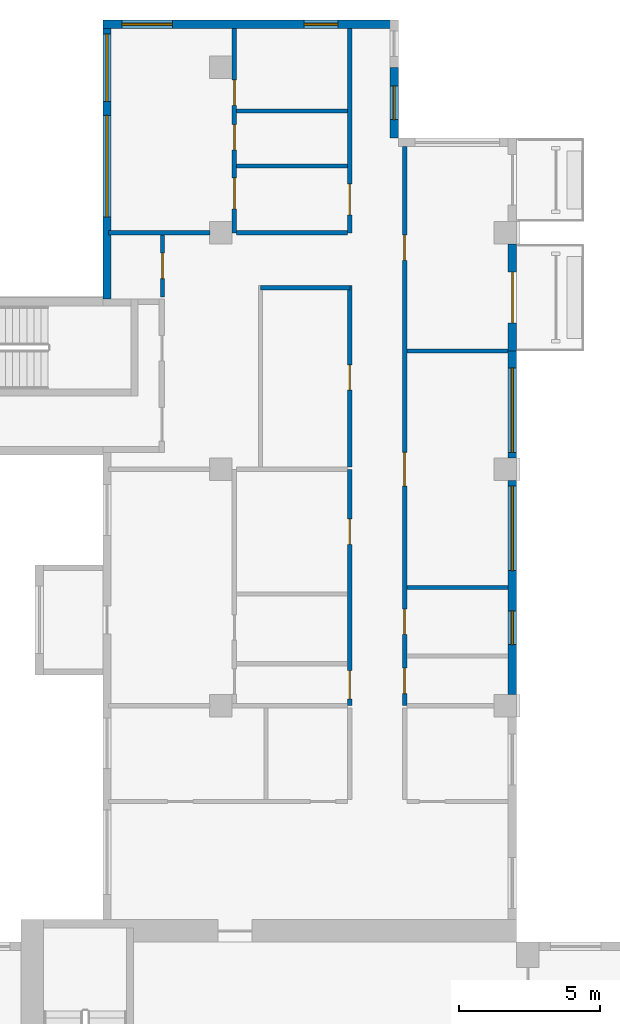
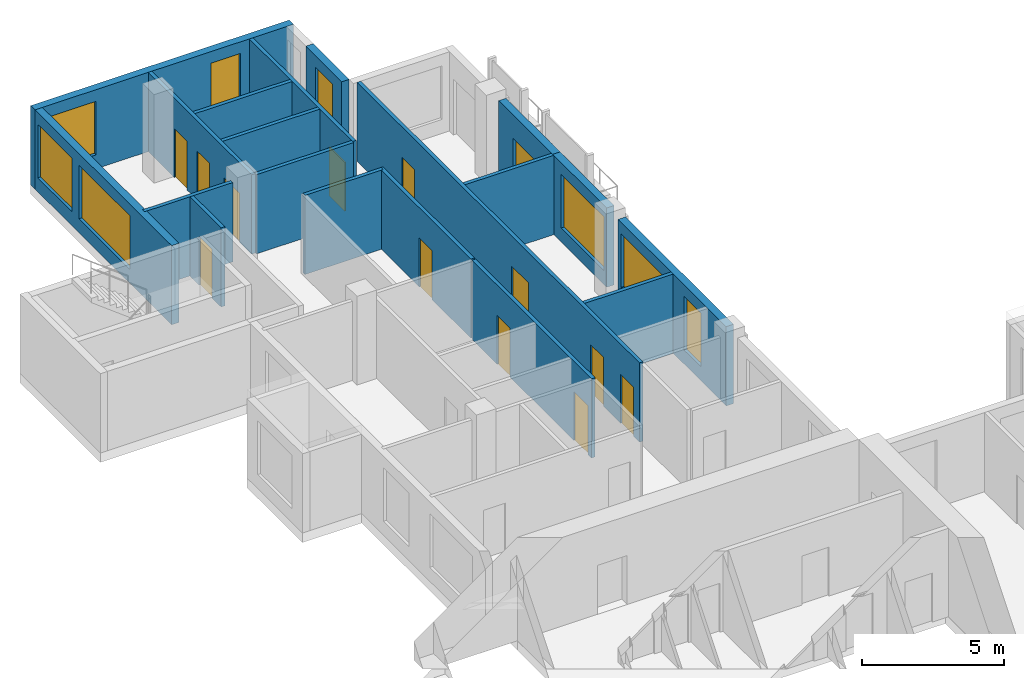
# One storey, part 7 of 12: 19 walls, 13 doors, 8 windows, 21 openings.
"""IFC4 building model written with IfcOpenShell, lengths in metres."""

from ifc_helpers import new_model, si_unit, direction, frame, frame_2d, origin, place, context, subcontext, project, spatial, rectangle, extrude, source, transform, mapped, material, layer, layer_set, type_object, element, fill, save


model = new_model("IFC4")

# Units and contexts
model_context = context("Model", 3, precision=1e-05, world=origin(), true_north=direction((0.0, 1.0)))
body_context = subcontext(model_context, "Body", "Model", "MODEL_VIEW")
ifc_project = project(units=[si_unit("LENGTHUNIT", "METRE"), si_unit("AREAUNIT", "SQUARE_METRE"), si_unit("VOLUMEUNIT", "CUBIC_METRE"), si_unit("PLANEANGLEUNIT", "RADIAN"), si_unit("MASSUNIT", "GRAM", prefix="KILO")], contexts=[model_context])

# Site, building, storey
site_placement = place(None, origin())
site = spatial("IfcSite", under=ifc_project, at=site_placement, CompositionType="ELEMENT")
building_placement = place(site_placement, origin())
building = spatial("IfcBuilding", under=site, at=building_placement, Name="Aurelian Terraces", CompositionType="ELEMENT")
storey_placement = place(building_placement, frame((0.0, 0.0, 246.2)))
storey = spatial("IfcBuildingStorey", under=building, at=storey_placement, Name="L56", CompositionType="ELEMENT", Elevation=246.2)

# Wall, opening, window
ifc_material_1 = material(Name="Terracotta rainscreen cladding", Category="masonry")
ifc_layer_1 = layer(ifc_material_1, 0.3)
ifc_layer_set_1 = layer_set([ifc_layer_1], Name="EW-300")
wall_type_1 = type_object("IfcWallType", Name="EW-300", PredefinedType="STANDARD", material=ifc_layer_set_1)
shared_shape_1 = source(origin(), body_context, "Body", "SweptSolid", [
    extrude(rectangle(XDim=2.52, YDim=0.3, at=frame_2d((1.26, 0.0))), origin(), (0.0, 0.0, 1.0), 3.4),
])
wall_1_placement = place(storey_placement, frame((16.65, 49.56, 0.0), z_axis=(0.0, 0.0, 1.0), x_axis=(0.0, 1.0, 0.0)))
wall_1 = element("IfcWall", 1, at=wall_1_placement, inside=storey, type_object=wall_type_1, Name="External wall L56 F10.24", PredefinedType="STANDARD", context=body_context, shape_type="MappedRepresentation", body=[
    mapped(shared_shape_1, transform((0.0, 0.0, 0.0), scale=1.0)),
])
shared_shape_2 = source(origin(), body_context, "Body", "SweptSolid", [
    extrude(rectangle(XDim=1.2, YDim=2.3, at=frame_2d((0.6, 1.15))), frame((0.0, 0.16, 0.0), z_axis=(0.0, -1.0, 0.0), x_axis=(1.0, 0.0, 0.0)), (0.0, 0.0, 1.0), 0.32),
])
opening_1_placement = place(wall_1_placement, frame((0.66, 0.0, 0.6)))
opening_1 = element("IfcOpeningElement", 2, at=opening_1_placement, cuts=wall_1, Name="Opening W1223", PredefinedType="OPENING", context=body_context, shape_type="MappedRepresentation", body=[
    mapped(shared_shape_2, transform((0.0, 0.0, 0.0), scale=1.0)),
])
ifc_material_2 = material(Name="Clear glazing", Category="glass")
window_type_1 = type_object("IfcWindowType", Name="W-1200x2300", PartitioningType="SINGLE_PANEL", PredefinedType="WINDOW", material=ifc_material_2)
shared_shape_3 = source(origin(), body_context, "Body", "SweptSolid", [
    extrude(rectangle(XDim=1.2, YDim=2.3, at=frame_2d((0.6, 1.15))), frame((0.0, 0.03, 0.0), z_axis=(0.0, -1.0, 0.0), x_axis=(1.0, 0.0, 0.0)), (0.0, 0.0, 1.0), 0.06),
])
window_1_placement = place(opening_1_placement, origin())
window_1 = element("IfcWindow", 3, at=window_1_placement, inside=storey, type_object=window_type_1, Name="Window L56 L56-F10-24-0", OverallHeight=2.3, OverallWidth=1.2, PartitioningType="SINGLE_PANEL", PredefinedType="WINDOW", context=body_context, shape_type="MappedRepresentation", body=[
    mapped(shared_shape_3, transform((0.0, 0.0, 0.0), scale=1.0)),
])
fill(opening_1, window_1)

# Wall, openings, windows
shared_shape_4 = source(origin(), body_context, "Body", "SweptSolid", [
    extrude(rectangle(XDim=10.5, YDim=0.3, at=frame_2d((5.25, 0.0))), origin(), (0.0, 0.0, 1.0), 3.4),
])
wall_2_placement = place(storey_placement, frame((16.8, 53.61, 0.0), z_axis=(0.0, 0.0, 1.0), x_axis=(-1.0, 0.0, 0.0)))
wall_2 = element("IfcWall", 4, at=wall_2_placement, inside=storey, type_object=wall_type_1, Name="External wall L56 F11.26", PredefinedType="STANDARD", context=body_context, shape_type="MappedRepresentation", body=[
    mapped(shared_shape_4, transform((0.0, 0.0, 0.0), scale=1.0)),
])
opening_2_placement = place(wall_2_placement, frame((2.15, 0.0, 0.6)))
opening_2 = element("IfcOpeningElement", 5, at=opening_2_placement, cuts=wall_2, Name="Opening W1223", PredefinedType="OPENING", context=body_context, shape_type="MappedRepresentation", body=[
    mapped(shared_shape_2, transform((0.0, 0.0, 0.0), scale=1.0)),
])
shared_shape_5 = source(origin(), body_context, "Body", "SweptSolid", [
    extrude(rectangle(XDim=1.8, YDim=2.3, at=frame_2d((0.9, 1.15))), frame((0.0, 0.16, 0.0), z_axis=(0.0, -1.0, 0.0), x_axis=(1.0, 0.0, 0.0)), (0.0, 0.0, 1.0), 0.32),
])
opening_3_placement = place(wall_2_placement, frame((8.025, 0.0, 0.6)))
opening_3 = element("IfcOpeningElement", 6, at=opening_3_placement, cuts=wall_2, Name="Opening W1823", PredefinedType="OPENING", context=body_context, shape_type="MappedRepresentation", body=[
    mapped(shared_shape_5, transform((0.0, 0.0, 0.0), scale=1.0)),
])
window_2_placement = place(opening_2_placement, origin())
window_2 = element("IfcWindow", 7, at=window_2_placement, inside=storey, type_object=window_type_1, Name="Window L56 L56-F11-26-0", OverallHeight=2.3, OverallWidth=1.2, PartitioningType="SINGLE_PANEL", PredefinedType="WINDOW", context=body_context, shape_type="MappedRepresentation", body=[
    mapped(shared_shape_3, transform((0.0, 0.0, 0.0), scale=1.0)),
])
fill(opening_2, window_2)
window_type_2 = type_object("IfcWindowType", Name="W-1800x2300", PartitioningType="SINGLE_PANEL", PredefinedType="WINDOW", material=ifc_material_2)
shared_shape_6 = source(origin(), body_context, "Body", "SweptSolid", [
    extrude(rectangle(XDim=1.8, YDim=2.3, at=frame_2d((0.9, 1.15))), frame((0.0, 0.03, 0.0), z_axis=(0.0, -1.0, 0.0), x_axis=(1.0, 0.0, 0.0)), (0.0, 0.0, 1.0), 0.06),
])
window_3_placement = place(opening_3_placement, origin())
window_3 = element("IfcWindow", 8, at=window_3_placement, inside=storey, type_object=window_type_2, Name="Window L56 L56-F11-26-2", OverallHeight=2.3, OverallWidth=1.8, PartitioningType="SINGLE_PANEL", PredefinedType="WINDOW", context=body_context, shape_type="MappedRepresentation", body=[
    mapped(shared_shape_6, transform((0.0, 0.0, 0.0), scale=1.0)),
])
fill(opening_3, window_3)

shared_shape_7 = source(origin(), body_context, "Body", "SweptSolid", [
    extrude(rectangle(XDim=9.91, YDim=0.3, at=frame_2d((4.955, 0.0))), origin(), (0.0, 0.0, 1.0), 3.4),
])
wall_3_placement = place(storey_placement, frame((6.45, 53.76, 0.0), z_axis=(0.0, 0.0, 1.0), x_axis=(0.0, -1.0, 0.0)))
wall_3 = element("IfcWall", 9, at=wall_3_placement, inside=storey, type_object=wall_type_1, Name="External wall L56 F12.27", PredefinedType="STANDARD", context=body_context, shape_type="MappedRepresentation", body=[
    mapped(shared_shape_7, transform((0.0, 0.0, 0.0), scale=1.0)),
])
shared_shape_8 = source(origin(), body_context, "Body", "SweptSolid", [
    extrude(rectangle(XDim=3.6, YDim=2.3, at=frame_2d((1.8, 1.15))), frame((0.0, 0.16, 0.0), z_axis=(0.0, -1.0, 0.0), x_axis=(1.0, 0.0, 0.0)), (0.0, 0.0, 1.0), 0.32),
])
opening_4_placement = place(wall_3_placement, frame((3.39, 0.0, 0.6)))
opening_4 = element("IfcOpeningElement", 10, at=opening_4_placement, cuts=wall_3, Name="Opening W3623", PredefinedType="OPENING", context=body_context, shape_type="MappedRepresentation", body=[
    mapped(shared_shape_8, transform((0.0, 0.0, 0.0), scale=1.0)),
])
shared_shape_9 = source(origin(), body_context, "Body", "SweptSolid", [
    extrude(rectangle(XDim=2.4, YDim=2.3, at=frame_2d((1.2, 1.15))), frame((0.0, 0.16, 0.0), z_axis=(0.0, -1.0, 0.0), x_axis=(1.0, 0.0, 0.0)), (0.0, 0.0, 1.0), 0.32),
])
opening_5_placement = place(wall_3_placement, frame((0.495, 0.0, 0.6)))
opening_5 = element("IfcOpeningElement", 11, at=opening_5_placement, cuts=wall_3, Name="Opening W2423", PredefinedType="OPENING", context=body_context, shape_type="MappedRepresentation", body=[
    mapped(shared_shape_9, transform((0.0, 0.0, 0.0), scale=1.0)),
])
window_type_3 = type_object("IfcWindowType", Name="W-3600x2300", PartitioningType="SINGLE_PANEL", PredefinedType="WINDOW", material=ifc_material_2)
shared_shape_10 = source(origin(), body_context, "Body", "SweptSolid", [
    extrude(rectangle(XDim=3.6, YDim=2.3, at=frame_2d((1.8, 1.15))), frame((0.0, 0.03, 0.0), z_axis=(0.0, -1.0, 0.0), x_axis=(1.0, 0.0, 0.0)), (0.0, 0.0, 1.0), 0.06),
])
window_4_placement = place(opening_4_placement, origin())
window_4 = element("IfcWindow", 12, at=window_4_placement, inside=storey, type_object=window_type_3, Name="Window L56 L56-F12-27-1", OverallHeight=2.3, OverallWidth=3.6, PartitioningType="SINGLE_PANEL", PredefinedType="WINDOW", context=body_context, shape_type="MappedRepresentation", body=[
    mapped(shared_shape_10, transform((0.0, 0.0, 0.0), scale=1.0)),
])
fill(opening_4, window_4)
window_type_4 = type_object("IfcWindowType", Name="W-2400x2300", PartitioningType="SINGLE_PANEL", PredefinedType="WINDOW", material=ifc_material_2)
shared_shape_11 = source(origin(), body_context, "Body", "SweptSolid", [
    extrude(rectangle(XDim=2.4, YDim=2.3, at=frame_2d((1.2, 1.15))), frame((0.0, 0.03, 0.0), z_axis=(0.0, -1.0, 0.0), x_axis=(1.0, 0.0, 0.0)), (0.0, 0.0, 1.0), 0.06),
])
window_5_placement = place(opening_5_placement, origin())
window_5 = element("IfcWindow", 13, at=window_5_placement, inside=storey, type_object=window_type_4, Name="Window L56 L56-F12-27-G0-0", OverallHeight=2.3, OverallWidth=2.4, PartitioningType="SINGLE_PANEL", PredefinedType="WINDOW", context=body_context, shape_type="MappedRepresentation", body=[
    mapped(shared_shape_11, transform((0.0, 0.0, 0.0), scale=1.0)),
])
fill(opening_5, window_5)

shared_shape_12 = source(origin(), body_context, "Body", "SweptSolid", [
    extrude(rectangle(XDim=7.6, YDim=0.3, at=frame_2d((3.8, 0.0))), origin(), (0.0, 0.0, 1.0), 3.4),
])
wall_4_placement = place(storey_placement, frame((20.85, 29.8, 0.0), z_axis=(0.0, 0.0, 1.0), x_axis=(0.0, 1.0, 0.0)))
wall_4 = element("IfcWall", 14, at=wall_4_placement, inside=storey, type_object=wall_type_1, Name="External wall L56 F08.19", PredefinedType="STANDARD", context=body_context, shape_type="MappedRepresentation", body=[
    mapped(shared_shape_12, transform((0.0, 0.0, 0.0), scale=1.0)),
])
opening_6_placement = place(wall_4_placement, frame((1.769, 0.0, 0.6)))
opening_6 = element("IfcOpeningElement", 15, at=opening_6_placement, cuts=wall_4, Name="Opening W1223", PredefinedType="OPENING", context=body_context, shape_type="MappedRepresentation", body=[
    mapped(shared_shape_2, transform((0.0, 0.0, 0.0), scale=1.0)),
])
shared_shape_13 = source(origin(), body_context, "Body", "SweptSolid", [
    extrude(rectangle(XDim=3.0, YDim=2.3, at=frame_2d((1.5, 1.15))), frame((0.0, 0.16, 0.0), z_axis=(0.0, -1.0, 0.0), x_axis=(1.0, 0.0, 0.0)), (0.0, 0.0, 1.0), 0.32),
])
opening_7_placement = place(wall_4_placement, frame((4.4, 0.0, 0.6)))
opening_7 = element("IfcOpeningElement", 16, at=opening_7_placement, cuts=wall_4, Name="Opening W3023", PredefinedType="OPENING", context=body_context, shape_type="MappedRepresentation", body=[
    mapped(shared_shape_13, transform((0.0, 0.0, 0.0), scale=1.0)),
])
window_type_5 = type_object("IfcWindowType", Name="W-3000x2300", PartitioningType="SINGLE_PANEL", PredefinedType="WINDOW", material=ifc_material_2)
shared_shape_14 = source(origin(), body_context, "Body", "SweptSolid", [
    extrude(rectangle(XDim=3.0, YDim=2.3, at=frame_2d((1.5, 1.15))), frame((0.0, 0.03, 0.0), z_axis=(0.0, -1.0, 0.0), x_axis=(1.0, 0.0, 0.0)), (0.0, 0.0, 1.0), 0.06),
])
window_6_placement = place(opening_7_placement, origin())
window_6 = element("IfcWindow", 17, at=window_6_placement, inside=storey, type_object=window_type_5, Name="Window L56 L56-F08-19-1", OverallHeight=2.3, OverallWidth=3.0, PartitioningType="SINGLE_PANEL", PredefinedType="WINDOW", context=body_context, shape_type="MappedRepresentation", body=[
    mapped(shared_shape_14, transform((0.0, 0.0, 0.0), scale=1.0)),
])
fill(opening_7, window_6)
window_7_placement = place(opening_6_placement, origin())
window_7 = element("IfcWindow", 18, at=window_7_placement, inside=storey, type_object=window_type_1, Name="Window L56 L56-F08-19-0", OverallHeight=2.3, OverallWidth=1.2, PartitioningType="SINGLE_PANEL", PredefinedType="WINDOW", context=body_context, shape_type="MappedRepresentation", body=[
    mapped(shared_shape_3, transform((0.0, 0.0, 0.0), scale=1.0)),
])
fill(opening_6, window_7)

# Wall, opening, window
shared_shape_15 = source(origin(), body_context, "Body", "SweptSolid", [
    extrude(rectangle(XDim=3.8, YDim=0.3, at=frame_2d((1.9, 0.0))), origin(), (0.0, 0.0, 1.0), 3.4),
])
wall_5_placement = place(storey_placement, frame((20.85, 38.2, 0.0), z_axis=(0.0, 0.0, 1.0), x_axis=(0.0, 1.0, 0.0)))
wall_5 = element("IfcWall", 19, at=wall_5_placement, inside=storey, type_object=wall_type_1, Name="External wall L56 F08.20", PredefinedType="STANDARD", context=body_context, shape_type="MappedRepresentation", body=[
    mapped(shared_shape_15, transform((0.0, 0.0, 0.0), scale=1.0)),
])
opening_8_placement = place(wall_5_placement, frame((0.2, 0.0, 0.6)))
opening_8 = element("IfcOpeningElement", 20, at=opening_8_placement, cuts=wall_5, Name="Opening W3023", PredefinedType="OPENING", context=body_context, shape_type="MappedRepresentation", body=[
    mapped(shared_shape_13, transform((0.0, 0.0, 0.0), scale=1.0)),
])
window_8_placement = place(opening_8_placement, origin())
window_8 = element("IfcWindow", 21, at=window_8_placement, inside=storey, type_object=window_type_5, Name="Window L56 L56-F08-20-0", OverallHeight=2.3, OverallWidth=3.0, PartitioningType="SINGLE_PANEL", PredefinedType="WINDOW", context=body_context, shape_type="MappedRepresentation", body=[
    mapped(shared_shape_14, transform((0.0, 0.0, 0.0), scale=1.0)),
])
fill(opening_8, window_8)

# Wall, opening, door
wall_6_placement = place(storey_placement, frame((20.85, 42.0, 0.0), z_axis=(0.0, 0.0, 1.0), x_axis=(0.0, 1.0, 0.0)))
wall_6 = element("IfcWall", 22, at=wall_6_placement, inside=storey, type_object=wall_type_1, Name="External wall L56 F08.21", PredefinedType="STANDARD", context=body_context, shape_type="MappedRepresentation", body=[
    mapped(shared_shape_15, transform((0.0, 0.0, 0.0), scale=1.0)),
])
shared_shape_16 = source(origin(), body_context, "Body", "SweptSolid", [
    extrude(rectangle(XDim=1.8, YDim=2.4, at=frame_2d((0.9, 1.2))), frame((0.0, 0.16, 0.0), z_axis=(0.0, -1.0, 0.0), x_axis=(1.0, 0.0, 0.0)), (0.0, 0.0, 1.0), 0.32),
])
opening_9_placement = place(wall_6_placement, frame((1.0, 0.0, 0.0)))
opening_9 = element("IfcOpeningElement", 23, at=opening_9_placement, cuts=wall_6, Name="Opening 85602", PredefinedType="OPENING", context=body_context, shape_type="MappedRepresentation", body=[
    mapped(shared_shape_16, transform((0.0, 0.0, 0.0), scale=1.0)),
])
door_type_1 = type_object("IfcDoorType", Name="BD-1800x2400", OperationType="SLIDING_TO_LEFT", PredefinedType="DOOR", material=ifc_material_2)
shared_shape_17 = source(origin(), body_context, "Body", "SweptSolid", [
    extrude(rectangle(XDim=1.8, YDim=2.4, at=frame_2d((0.9, 1.2))), frame((0.0, 0.025, 0.0), z_axis=(0.0, -1.0, 0.0), x_axis=(1.0, 0.0, 0.0)), (0.0, 0.0, 1.0), 0.05),
])
door_1_placement = place(opening_9_placement, origin())
door_1 = element("IfcDoor", 24, at=door_1_placement, inside=storey, type_object=door_type_1, Name="Balcony door L56 F08.21", OperationType="SLIDING_TO_LEFT", OverallHeight=2.4, OverallWidth=1.8, PredefinedType="DOOR", context=body_context, shape_type="MappedRepresentation", body=[
    mapped(shared_shape_17, transform((0.0, 0.0, 0.0), scale=1.0)),
])
fill(opening_9, door_1)

ifc_material_3 = material(Name="Gypsum board on steel studs", Category="steel")
ifc_layer_2 = layer(ifc_material_3, 0.15)
ifc_layer_set_2 = layer_set([ifc_layer_2], Name="Fire partition 150")
wall_type_2 = type_object("IfcWallType", Name="Fire partition 150", PredefinedType="PARTITIONING", material=ifc_layer_set_2)
shared_shape_18 = source(origin(), body_context, "Body", "SweptSolid", [
    extrude(rectangle(XDim=6.45, YDim=0.15, at=frame_2d((3.225, 0.0))), origin(), (0.0, 0.0, 1.0), 3.4),
])
wall_7_placement = place(storey_placement, frame((15.075, 37.875, 0.0), z_axis=(0.0, 0.0, 1.0), x_axis=(0.0, 1.0, 0.0)))
wall_7 = element("IfcWall", 25, at=wall_7_placement, inside=storey, type_object=wall_type_2, Name="Corridor wall", PredefinedType="PARTITIONING", context=body_context, shape_type="MappedRepresentation", body=[
    mapped(shared_shape_18, transform((0.0, 0.0, 0.0), scale=1.0)),
])
shared_shape_19 = source(origin(), body_context, "Body", "SweptSolid", [
    extrude(rectangle(XDim=0.9, YDim=2.1, at=frame_2d((0.45, 1.05))), frame((0.0, 0.085, 0.0), z_axis=(0.0, -1.0, 0.0), x_axis=(1.0, 0.0, 0.0)), (0.0, 0.0, 1.0), 0.17),
])
opening_10_placement = place(wall_7_placement, frame((2.7375, 0.0, 0.0)))
opening_10 = element("IfcOpeningElement", 26, at=opening_10_placement, cuts=wall_7, Name="Opening 756021", PredefinedType="OPENING", context=body_context, shape_type="MappedRepresentation", body=[
    mapped(shared_shape_19, transform((0.0, 0.0, 0.0), scale=1.0)),
])
ifc_material_4 = material(Name="Timber door leaf", Category="wood")
door_type_2 = type_object("IfcDoorType", Name="Room door 900x2100 left", OperationType="SINGLE_SWING_LEFT", PredefinedType="DOOR", material=ifc_material_4)
shared_shape_20 = source(origin(), body_context, "Body", "SweptSolid", [
    extrude(rectangle(XDim=0.9, YDim=2.1, at=frame_2d((0.45, 1.05))), frame((0.0, 0.025, 0.0), z_axis=(0.0, -1.0, 0.0), x_axis=(1.0, 0.0, 0.0)), (0.0, 0.0, 1.0), 0.05),
])
door_2_placement = place(opening_10_placement, origin())
door_2 = element("IfcDoor", 27, at=door_2_placement, inside=storey, type_object=door_type_2, Name="Door 756021", OperationType="SINGLE_SWING_LEFT", OverallHeight=2.1, OverallWidth=0.9, PredefinedType="DOOR", context=body_context, shape_type="MappedRepresentation", body=[
    mapped(shared_shape_20, transform((0.0, 0.0, 0.0), scale=1.0)),
])
fill(opening_10, door_2)

# Walls
shared_shape_21 = source(origin(), body_context, "Body", "SweptSolid", [
    extrude(rectangle(XDim=3.6, YDim=0.15, at=frame_2d((1.8, 0.0))), origin(), (0.0, 0.0, 1.0), 3.4),
])
for number, where, z_axis, x_axis, name in (
    (28, (20.7, 33.6, 0.0), (0.0, 0.0, 1.0), (-1.0, 0.0, 0.0), "Party wall"),
    (29, (20.7, 42.0, 0.0), (0.0, 0.0, 1.0), (-1.0, 0.0, 0.0), "Party wall"),
):
    element("IfcWall", number, at=place(storey_placement, frame(where, z_axis=z_axis, x_axis=x_axis)), inside=storey, type_object=wall_type_2, Name=name, PredefinedType="PARTITIONING", context=body_context, shape_type="MappedRepresentation", body=[
        mapped(shared_shape_21, transform((0.0, 0.0, 0.0), scale=1.0)),
    ])

# Wall, openings, doors
shared_shape_22 = source(origin(), body_context, "Body", "SweptSolid", [
    extrude(rectangle(XDim=8.4, YDim=0.15, at=frame_2d((4.2, 0.0))), origin(), (0.0, 0.0, 1.0), 3.4),
])
wall_8_placement = place(storey_placement, frame((15.075, 29.4, 0.0), z_axis=(0.0, 0.0, 1.0), x_axis=(0.0, 1.0, 0.0)))
wall_8 = element("IfcWall", 30, at=wall_8_placement, inside=storey, type_object=wall_type_2, Name="Corridor wall", PredefinedType="PARTITIONING", context=body_context, shape_type="MappedRepresentation", body=[
    mapped(shared_shape_22, transform((0.0, 0.0, 0.0), scale=1.0)),
])
shared_shape_23 = source(origin(), body_context, "Body", "SweptSolid", [
    extrude(rectangle(XDim=1.0, YDim=2.1, at=frame_2d((0.5, 1.05))), frame((0.0, 0.085, 0.0), z_axis=(0.0, -1.0, 0.0), x_axis=(1.0, 0.0, 0.0)), (0.0, 0.0, 1.0), 0.17),
])
opening_11_placement = place(wall_8_placement, frame((0.245, 0.0, 0.0)))
opening_11 = element("IfcOpeningElement", 31, at=opening_11_placement, cuts=wall_8, Name="Opening 756023", PredefinedType="OPENING", context=body_context, shape_type="MappedRepresentation", body=[
    mapped(shared_shape_23, transform((0.0, 0.0, 0.0), scale=1.0)),
])
opening_12_placement = place(wall_8_placement, frame((5.7333, 0.0, 0.0)))
opening_12 = element("IfcOpeningElement", 32, at=opening_12_placement, cuts=wall_8, Name="Opening 756026", PredefinedType="OPENING", context=body_context, shape_type="MappedRepresentation", body=[
    mapped(shared_shape_19, transform((0.0, 0.0, 0.0), scale=1.0)),
])
ifc_material_5 = material(Name="Steel door leaf", Category="steel")
door_type_3 = type_object("IfcDoorType", Name="Entrance fire door 1000x2100 right", OperationType="SINGLE_SWING_RIGHT", PredefinedType="DOOR", material=ifc_material_5)
shared_shape_24 = source(origin(), body_context, "Body", "SweptSolid", [
    extrude(rectangle(XDim=1.0, YDim=2.1, at=frame_2d((0.5, 1.05))), frame((0.0, 0.025, 0.0), z_axis=(0.0, -1.0, 0.0), x_axis=(1.0, 0.0, 0.0)), (0.0, 0.0, 1.0), 0.05),
])
door_3_placement = place(opening_11_placement, origin())
door_3 = element("IfcDoor", 33, at=door_3_placement, inside=storey, type_object=door_type_3, Name="Door 756023", OperationType="SINGLE_SWING_RIGHT", OverallHeight=2.1, OverallWidth=1.0, PredefinedType="DOOR", context=body_context, shape_type="MappedRepresentation", body=[
    mapped(shared_shape_24, transform((0.0, 0.0, 0.0), scale=1.0)),
])
fill(opening_11, door_3)
door_type_4 = type_object("IfcDoorType", Name="Entrance fire door 900x2100 left", OperationType="SINGLE_SWING_LEFT", PredefinedType="DOOR", material=ifc_material_5)
door_4_placement = place(opening_12_placement, origin())
door_4 = element("IfcDoor", 34, at=door_4_placement, inside=storey, type_object=door_type_4, Name="Door 756026", OperationType="SINGLE_SWING_LEFT", OverallHeight=2.1, OverallWidth=0.9, PredefinedType="DOOR", context=body_context, shape_type="MappedRepresentation", body=[
    mapped(shared_shape_20, transform((0.0, 0.0, 0.0), scale=1.0)),
])
fill(opening_12, door_4)

# Wall, opening, door
ifc_layer_3 = layer(ifc_material_3, 0.15)
ifc_layer_set_3 = layer_set([ifc_layer_3], Name="Partition 150")
wall_type_3 = type_object("IfcWallType", Name="Partition 150", PredefinedType="PARTITIONING", material=ifc_layer_set_3)
shared_shape_25 = source(origin(), body_context, "Body", "SweptSolid", [
    extrude(rectangle(XDim=2.2, YDim=0.15, at=frame_2d((1.1, 0.0))), origin(), (0.0, 0.0, 1.0), 3.4),
])
wall_9_placement = place(storey_placement, frame((8.425, 43.925, 0.0), z_axis=(0.0, 0.0, 1.0), x_axis=(0.0, 1.0, 0.0)))
wall_9 = element("IfcWall", 35, at=wall_9_placement, inside=storey, type_object=wall_type_3, Name="Partition", PredefinedType="PARTITIONING", context=body_context, shape_type="MappedRepresentation", body=[
    mapped(shared_shape_25, transform((0.0, 0.0, 0.0), scale=1.0)),
])
opening_13_placement = place(wall_9_placement, frame((0.65, 0.0, 0.0)))
opening_13 = element("IfcOpeningElement", 36, at=opening_13_placement, cuts=wall_9, Name="Opening 756022", PredefinedType="OPENING", context=body_context, shape_type="MappedRepresentation", body=[
    mapped(shared_shape_19, transform((0.0, 0.0, 0.0), scale=1.0)),
])
door_5_placement = place(opening_13_placement, origin())
door_5 = element("IfcDoor", 37, at=door_5_placement, inside=storey, type_object=door_type_2, Name="Door 756022", OperationType="SINGLE_SWING_LEFT", OverallHeight=2.1, OverallWidth=0.9, PredefinedType="DOOR", context=body_context, shape_type="MappedRepresentation", body=[
    mapped(shared_shape_20, transform((0.0, 0.0, 0.0), scale=1.0)),
])
fill(opening_13, door_5)

# Wall, openings, doors
shared_shape_26 = source(origin(), body_context, "Body", "SweptSolid", [
    extrude(rectangle(XDim=7.26, YDim=0.15, at=frame_2d((3.63, 0.0))), origin(), (0.0, 0.0, 1.0), 3.4),
])
wall_10_placement = place(storey_placement, frame((10.975, 46.2, 0.0), z_axis=(0.0, 0.0, 1.0), x_axis=(0.0, 1.0, 0.0)))
wall_10 = element("IfcWall", 38, at=wall_10_placement, inside=storey, type_object=wall_type_3, Name="Partition", PredefinedType="PARTITIONING", context=body_context, shape_type="MappedRepresentation", body=[
    mapped(shared_shape_26, transform((0.0, 0.0, 0.0), scale=1.0)),
])
shared_shape_27 = source(origin(), body_context, "Body", "SweptSolid", [
    extrude(rectangle(XDim=1.1, YDim=2.1, at=frame_2d((0.55, 1.05))), frame((0.0, 0.085, 0.0), z_axis=(0.0, -1.0, 0.0), x_axis=(1.0, 0.0, 0.0)), (0.0, 0.0, 1.0), 0.17),
])
opening_14_placement = place(wall_10_placement, frame((0.8474, 0.0, 0.0)))
opening_14 = element("IfcOpeningElement", 39, at=opening_14_placement, cuts=wall_10, Name="Opening 756028", PredefinedType="OPENING", context=body_context, shape_type="MappedRepresentation", body=[
    mapped(shared_shape_27, transform((0.0, 0.0, 0.0), scale=1.0)),
])
opening_15_placement = place(wall_10_placement, frame((2.9464, 0.0, 0.0)))
opening_15 = element("IfcOpeningElement", 40, at=opening_15_placement, cuts=wall_10, Name="Opening 756029", PredefinedType="OPENING", context=body_context, shape_type="MappedRepresentation", body=[
    mapped(shared_shape_19, transform((0.0, 0.0, 0.0), scale=1.0)),
])
opening_16_placement = place(wall_10_placement, frame((4.529, 0.0, 0.0)))
opening_16 = element("IfcOpeningElement", 41, at=opening_16_placement, cuts=wall_10, Name="Opening 756030", PredefinedType="OPENING", context=body_context, shape_type="MappedRepresentation", body=[
    mapped(shared_shape_19, transform((0.0, 0.0, 0.0), scale=1.0)),
])
door_type_5 = type_object("IfcDoorType", Name="Room door 900x2100 right", OperationType="SINGLE_SWING_RIGHT", PredefinedType="DOOR", material=ifc_material_4)
door_6_placement = place(opening_15_placement, origin())
door_6 = element("IfcDoor", 42, at=door_6_placement, inside=storey, type_object=door_type_5, Name="Door 756029", OperationType="SINGLE_SWING_RIGHT", OverallHeight=2.1, OverallWidth=0.9, PredefinedType="DOOR", context=body_context, shape_type="MappedRepresentation", body=[
    mapped(shared_shape_20, transform((0.0, 0.0, 0.0), scale=1.0)),
])
fill(opening_15, door_6)
door_7_placement = place(opening_16_placement, origin())
door_7 = element("IfcDoor", 43, at=door_7_placement, inside=storey, type_object=door_type_2, Name="Door 756030", OperationType="SINGLE_SWING_LEFT", OverallHeight=2.1, OverallWidth=0.9, PredefinedType="DOOR", context=body_context, shape_type="MappedRepresentation", body=[
    mapped(shared_shape_20, transform((0.0, 0.0, 0.0), scale=1.0)),
])
fill(opening_16, door_7)
door_type_6 = type_object("IfcDoorType", Name="Room door 1100x2100 left", OperationType="SINGLE_SWING_LEFT", PredefinedType="DOOR", material=ifc_material_4)
shared_shape_28 = source(origin(), body_context, "Body", "SweptSolid", [
    extrude(rectangle(XDim=1.1, YDim=2.1, at=frame_2d((0.55, 1.05))), frame((0.0, 0.025, 0.0), z_axis=(0.0, -1.0, 0.0), x_axis=(1.0, 0.0, 0.0)), (0.0, 0.0, 1.0), 0.05),
])
door_8_placement = place(opening_14_placement, origin())
door_8 = element("IfcDoor", 44, at=door_8_placement, inside=storey, type_object=door_type_6, Name="Door 756028", OperationType="SINGLE_SWING_LEFT", OverallHeight=2.1, OverallWidth=1.1, PredefinedType="DOOR", context=body_context, shape_type="MappedRepresentation", body=[
    mapped(shared_shape_28, transform((0.0, 0.0, 0.0), scale=1.0)),
])
fill(opening_14, door_8)

# Wall, opening, door
wall_11_placement = place(storey_placement, frame((15.075, 46.2, 0.0), z_axis=(0.0, 0.0, 1.0), x_axis=(0.0, 1.0, 0.0)))
wall_11 = element("IfcWall", 45, at=wall_11_placement, inside=storey, type_object=wall_type_2, Name="Corridor wall", PredefinedType="PARTITIONING", context=body_context, shape_type="MappedRepresentation", body=[
    mapped(shared_shape_26, transform((0.0, 0.0, 0.0), scale=1.0)),
])
opening_17_placement = place(wall_11_placement, frame((0.6349, 0.0, 0.0)))
opening_17 = element("IfcOpeningElement", 46, at=opening_17_placement, cuts=wall_11, Name="Opening 756027", PredefinedType="OPENING", context=body_context, shape_type="MappedRepresentation", body=[
    mapped(shared_shape_27, transform((0.0, 0.0, 0.0), scale=1.0)),
])
door_type_7 = type_object("IfcDoorType", Name="Entrance fire door 1100x2100 right", OperationType="SINGLE_SWING_RIGHT", PredefinedType="DOOR", material=ifc_material_5)
door_9_placement = place(opening_17_placement, origin())
door_9 = element("IfcDoor", 47, at=door_9_placement, inside=storey, type_object=door_type_7, Name="Door 756027", OperationType="SINGLE_SWING_RIGHT", OverallHeight=2.1, OverallWidth=1.1, PredefinedType="DOOR", context=body_context, shape_type="MappedRepresentation", body=[
    mapped(shared_shape_28, transform((0.0, 0.0, 0.0), scale=1.0)),
])
fill(opening_17, door_9)

# Wall, openings, doors
shared_shape_29 = source(origin(), body_context, "Body", "SweptSolid", [
    extrude(rectangle(XDim=19.86, YDim=0.15, at=frame_2d((9.93, 0.0))), origin(), (0.0, 0.0, 1.0), 3.4),
])
wall_12_placement = place(storey_placement, frame((17.025, 49.26, 0.0), z_axis=(0.0, 0.0, 1.0), x_axis=(0.0, -1.0, 0.0)))
wall_12 = element("IfcWall", 48, at=wall_12_placement, inside=storey, type_object=wall_type_2, Name="Corridor wall", PredefinedType="PARTITIONING", context=body_context, shape_type="MappedRepresentation", body=[
    mapped(shared_shape_29, transform((0.0, 0.0, 0.0), scale=1.0)),
])
opening_18_placement = place(wall_12_placement, frame((18.5283, 0.0, 0.0)))
opening_18 = element("IfcOpeningElement", 49, at=opening_18_placement, cuts=wall_12, Name="Opening 756031", PredefinedType="OPENING", context=body_context, shape_type="MappedRepresentation", body=[
    mapped(shared_shape_19, transform((0.0, 0.0, 0.0), scale=1.0)),
])
opening_19_placement = place(wall_12_placement, frame((16.4283, 0.0, 0.0)))
opening_19 = element("IfcOpeningElement", 50, at=opening_19_placement, cuts=wall_12, Name="Opening 756032", PredefinedType="OPENING", context=body_context, shape_type="MappedRepresentation", body=[
    mapped(shared_shape_19, transform((0.0, 0.0, 0.0), scale=1.0)),
])
shared_shape_30 = source(origin(), body_context, "Body", "SweptSolid", [
    extrude(rectangle(XDim=1.2, YDim=2.1, at=frame_2d((0.6, 1.05))), frame((0.0, 0.085, 0.0), z_axis=(0.0, -1.0, 0.0), x_axis=(1.0, 0.0, 0.0)), (0.0, 0.0, 1.0), 0.17),
])
opening_20_placement = place(wall_12_placement, frame((10.86, 0.0, 0.0)))
opening_20 = element("IfcOpeningElement", 51, at=opening_20_placement, cuts=wall_12, Name="Opening 756033", PredefinedType="OPENING", context=body_context, shape_type="MappedRepresentation", body=[
    mapped(shared_shape_30, transform((0.0, 0.0, 0.0), scale=1.0)),
])
opening_21_placement = place(wall_12_placement, frame((3.1425, 0.0, 0.0)))
opening_21 = element("IfcOpeningElement", 52, at=opening_21_placement, cuts=wall_12, Name="Opening 756034", PredefinedType="OPENING", context=body_context, shape_type="MappedRepresentation", body=[
    mapped(shared_shape_19, transform((0.0, 0.0, 0.0), scale=1.0)),
])
door_type_8 = type_object("IfcDoorType", Name="Entrance fire door 900x2100 right", OperationType="SINGLE_SWING_RIGHT", PredefinedType="DOOR", material=ifc_material_5)
door_10_placement = place(opening_18_placement, origin())
door_10 = element("IfcDoor", 53, at=door_10_placement, inside=storey, type_object=door_type_8, Name="Door 756031", OperationType="SINGLE_SWING_RIGHT", OverallHeight=2.1, OverallWidth=0.9, PredefinedType="DOOR", context=body_context, shape_type="MappedRepresentation", body=[
    mapped(shared_shape_20, transform((0.0, 0.0, 0.0), scale=1.0)),
])
fill(opening_18, door_10)
door_11_placement = place(opening_19_placement, origin())
door_11 = element("IfcDoor", 54, at=door_11_placement, inside=storey, type_object=door_type_4, Name="Door 756032", OperationType="SINGLE_SWING_LEFT", OverallHeight=2.1, OverallWidth=0.9, PredefinedType="DOOR", context=body_context, shape_type="MappedRepresentation", body=[
    mapped(shared_shape_20, transform((0.0, 0.0, 0.0), scale=1.0)),
])
fill(opening_19, door_11)
door_12_placement = place(opening_21_placement, origin())
door_12 = element("IfcDoor", 55, at=door_12_placement, inside=storey, type_object=door_type_8, Name="Door 756034", OperationType="SINGLE_SWING_RIGHT", OverallHeight=2.1, OverallWidth=0.9, PredefinedType="DOOR", context=body_context, shape_type="MappedRepresentation", body=[
    mapped(shared_shape_20, transform((0.0, 0.0, 0.0), scale=1.0)),
])
fill(opening_21, door_12)
door_type_9 = type_object("IfcDoorType", Name="Entrance fire door 1200x2100 right", OperationType="SINGLE_SWING_RIGHT", PredefinedType="DOOR", material=ifc_material_5)
shared_shape_31 = source(origin(), body_context, "Body", "SweptSolid", [
    extrude(rectangle(XDim=1.2, YDim=2.1, at=frame_2d((0.6, 1.05))), frame((0.0, 0.025, 0.0), z_axis=(0.0, -1.0, 0.0), x_axis=(1.0, 0.0, 0.0)), (0.0, 0.0, 1.0), 0.05),
])
door_13_placement = place(opening_20_placement, origin())
door_13 = element("IfcDoor", 56, at=door_13_placement, inside=storey, type_object=door_type_9, Name="Door 756033", OperationType="SINGLE_SWING_RIGHT", OverallHeight=2.1, OverallWidth=1.2, PredefinedType="DOOR", context=body_context, shape_type="MappedRepresentation", body=[
    mapped(shared_shape_31, transform((0.0, 0.0, 0.0), scale=1.0)),
])
fill(opening_20, door_13)

# Walls
shared_shape_32 = source(origin(), body_context, "Body", "SweptSolid", [
    extrude(rectangle(XDim=3.175, YDim=0.15, at=frame_2d((1.5875, 0.0))), origin(), (0.0, 0.0, 1.0), 3.4),
])
wall_13_placement = place(storey_placement, frame((15.075, 44.25, 0.0), z_axis=(0.0, 0.0, 1.0), x_axis=(-1.0, 0.0, 0.0)))
element("IfcWall", 57, at=wall_13_placement, inside=storey, type_object=wall_type_3, Name="Partition", PredefinedType="PARTITIONING", context=body_context, shape_type="MappedRepresentation", body=[
    mapped(shared_shape_32, transform((0.0, 0.0, 0.0), scale=1.0)),
])
shared_shape_33 = source(origin(), body_context, "Body", "SweptSolid", [
    extrude(rectangle(XDim=3.95, YDim=0.15, at=frame_2d((1.975, 0.0))), origin(), (0.0, 0.0, 1.0), 3.4),
])
for number, where, z_axis, x_axis, name in (
    (58, (15.0, 48.5699, 0.0), (0.0, 0.0, 1.0), (-1.0, 0.0, 0.0), "Partition"),
    (59, (15.0, 50.5229, 0.0), (0.0, 0.0, 1.0), (-1.0, 0.0, 0.0), "Partition"),
):
    element("IfcWall", number, at=place(storey_placement, frame(where, z_axis=z_axis, x_axis=x_axis)), inside=storey, type_object=wall_type_3, Name=name, PredefinedType="PARTITIONING", context=body_context, shape_type="MappedRepresentation", body=[
        mapped(shared_shape_33, transform((0.0, 0.0, 0.0), scale=1.0)),
    ])
wall_14_placement = place(storey_placement, frame((15.0, 46.2, 0.0), z_axis=(0.0, 0.0, 1.0), x_axis=(-1.0, 0.0, 0.0)))
element("IfcWall", 60, at=wall_14_placement, inside=storey, type_object=wall_type_2, Name="Party wall", PredefinedType="PARTITIONING", context=body_context, shape_type="MappedRepresentation", body=[
    mapped(shared_shape_33, transform((0.0, 0.0, 0.0), scale=1.0)),
])
shared_shape_34 = source(origin(), body_context, "Body", "SweptSolid", [
    extrude(rectangle(XDim=3.596, YDim=0.15, at=frame_2d((1.798, 0.0))), origin(), (0.0, 0.0, 1.0), 3.4),
])
wall_15_placement = place(storey_placement, frame((10.101, 46.2, 0.0), z_axis=(0.0, 0.0, 1.0), x_axis=(-1.0, 0.0, 0.0)))
element("IfcWall", 61, at=wall_15_placement, inside=storey, type_object=wall_type_2, Name="Party wall", PredefinedType="PARTITIONING", context=body_context, shape_type="MappedRepresentation", body=[
    mapped(shared_shape_34, transform((0.0, 0.0, 0.0), scale=1.0)),
])

save(model, "model.ifc")
